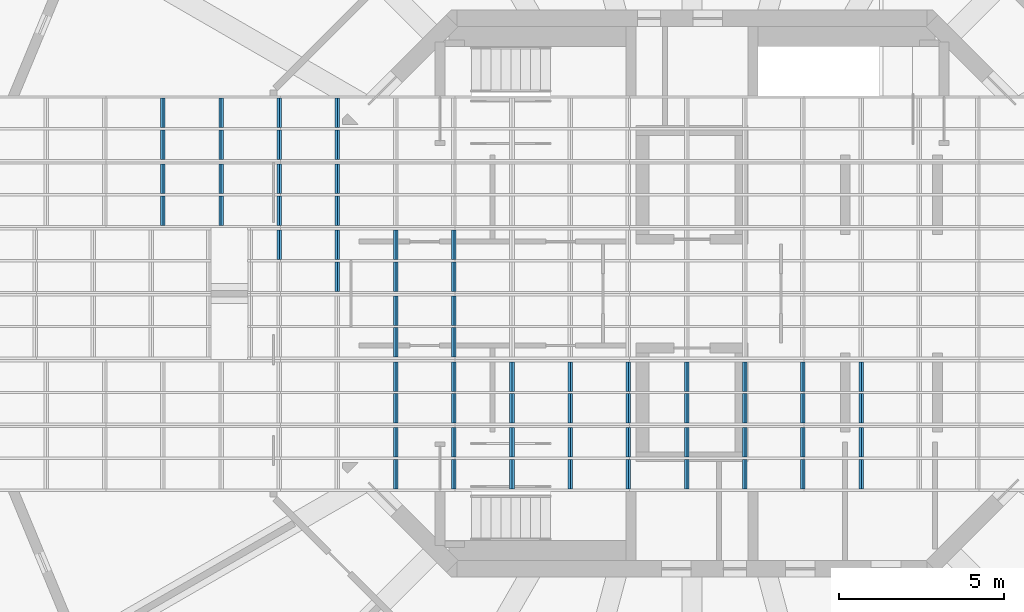
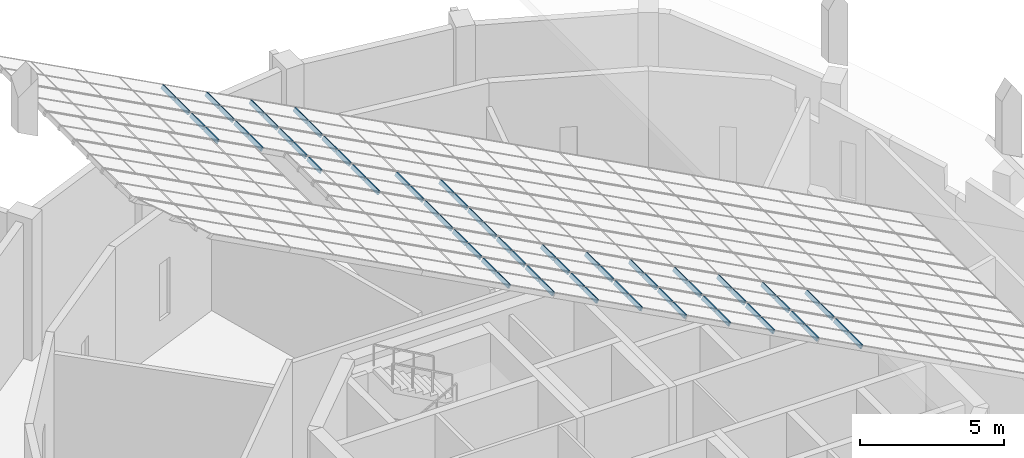
# One storey, part 5 of 19: 63 members, 6 elements without a shape of their own.
"""IFC4 building model written with IfcOpenShell, lengths in metres."""

from ifc_helpers import new_model, si_unit, direction, frame, origin, origin_2d, place, context, subcontext, project, spatial, rectangle, extrude, material, material_profile, profile_set, type_object, element, aggregate, save


model = new_model("IFC4")

# Units and contexts
model_context = context("Model", 3, precision=1e-05, world=origin(), true_north=direction((0.0, 1.0)))
body_context = subcontext(model_context, "Body", "Model", "MODEL_VIEW")
ifc_project = project(units=[si_unit("LENGTHUNIT", "METRE"), si_unit("AREAUNIT", "SQUARE_METRE"), si_unit("VOLUMEUNIT", "CUBIC_METRE"), si_unit("PLANEANGLEUNIT", "RADIAN"), si_unit("MASSUNIT", "GRAM", prefix="KILO")], contexts=[model_context])

# Site, building, storey
site_placement = place(None, origin())
site = spatial("IfcSite", under=ifc_project, at=site_placement, CompositionType="ELEMENT")
building_placement = place(site_placement, origin())
building = spatial("IfcBuilding", under=site, at=building_placement, Name="Torre Triforio", CompositionType="ELEMENT")
storey_placement = place(building_placement, frame((0.0, 0.0, 290.800048828125)))
storey = spatial("IfcBuildingStorey", under=building, at=storey_placement, Name="RF-1", CompositionType="ELEMENT", Elevation=290.800048828125)

# Curtain wall, members
ifc_material_1 = material(Name="Aluminium glazing bars with clear laminated glass", Category="aluminium")
curtain_wall_type = type_object("IfcCurtainWallType", Name="Crown lantern glazing CW4", PredefinedType="NOTDEFINED", material=ifc_material_1)
curtain_wall_1_placement = place(storey_placement, origin())
curtain_wall_1 = element("IfcCurtainWall", 1, at=curtain_wall_1_placement, inside=storey, type_object=curtain_wall_type, Name="Crown lantern run 1", PredefinedType="NOTDEFINED")
ifc_material_2 = material(Name="Anodised aluminium extrusion", Category="aluminium")
ifc_material_profile = material_profile(ifc_material_2, rectangle(XDim=0.070068359375, YDim=0.159912109375, at=origin_2d()), Name="CW4 TRANSOM 70x160")
ifc_profile_set = profile_set([ifc_material_profile], Name="Anodised aluminium extrusion")
member_type = type_object("IfcMemberType", Name="CW4 transom 70 x 160", PredefinedType="USERDEFINED", material=ifc_profile_set)
member_1_placement = place(storey_placement, frame((5.133056640625, -5.929931640625, 10.76513671875), z_axis=(0.0, 1.0, 0.0), x_axis=(-0.882947592859, 0.0, 0.469471562786)))
member_1 = element("IfcMember", 2, at=member_1_placement, type_object=member_type, Name="CW4 transom 1.6.1", ObjectType="TRANSOM", PredefinedType="USERDEFINED", context=body_context, shape_type="SweptSolid", body=[
    extrude(rectangle(XDim=0.070068359375, YDim=0.159912109375, at=origin_2d()), origin(), (0.0, 0.0, 1.0), 0.89501953125),
])
member_2_placement = place(storey_placement, frame((5.133056640625, -4.965087890625, 10.76513671875), z_axis=(0.0, 1.0, 0.0), x_axis=(-0.882947592859, 0.0, 0.469471562786)))
member_2 = element("IfcMember", 3, at=member_2_placement, type_object=member_type, Name="CW4 transom 1.6.2", ObjectType="TRANSOM", PredefinedType="USERDEFINED", context=body_context, shape_type="SweptSolid", body=[
    extrude(rectangle(XDim=0.070068359375, YDim=0.159912109375, at=origin_2d()), origin(), (0.0, 0.0, 1.0), 0.89501953125),
])
member_3_placement = place(storey_placement, frame((3.3671875, -5.929931640625, 11.704345703125), z_axis=(0.0, 1.0, 0.0), x_axis=(-0.882947592859, 0.0, 0.469471562786)))
member_3 = element("IfcMember", 4, at=member_3_placement, type_object=member_type, Name="CW4 transom 1.7.1", ObjectType="TRANSOM", PredefinedType="USERDEFINED", context=body_context, shape_type="SweptSolid", body=[
    extrude(rectangle(XDim=0.070068359375, YDim=0.159912109375, at=origin_2d()), origin(), (0.0, 0.0, 1.0), 0.89501953125),
])
member_4_placement = place(storey_placement, frame((3.3671875, -4.965087890625, 11.704345703125), z_axis=(0.0, 1.0, 0.0), x_axis=(-0.882947592859, 0.0, 0.469471562786)))
member_4 = element("IfcMember", 5, at=member_4_placement, type_object=member_type, Name="CW4 transom 1.7.2", ObjectType="TRANSOM", PredefinedType="USERDEFINED", context=body_context, shape_type="SweptSolid", body=[
    extrude(rectangle(XDim=0.070068359375, YDim=0.159912109375, at=origin_2d()), origin(), (0.0, 0.0, 1.0), 0.89501953125),
])
member_5_placement = place(storey_placement, frame((1.601318359375, -5.929931640625, 12.64306640625), z_axis=(0.0, 1.0, 0.0), x_axis=(-0.882947592859, 0.0, 0.469471562786)))
member_5 = element("IfcMember", 6, at=member_5_placement, type_object=member_type, Name="CW4 transom 1.8.1", ObjectType="TRANSOM", PredefinedType="USERDEFINED", context=body_context, shape_type="SweptSolid", body=[
    extrude(rectangle(XDim=0.070068359375, YDim=0.159912109375, at=origin_2d()), origin(), (0.0, 0.0, 1.0), 0.89501953125),
])
member_6_placement = place(storey_placement, frame((1.601318359375, -4.965087890625, 12.64306640625), z_axis=(0.0, 1.0, 0.0), x_axis=(-0.882947592859, 0.0, 0.469471562786)))
member_6 = element("IfcMember", 7, at=member_6_placement, type_object=member_type, Name="CW4 transom 1.8.2", ObjectType="TRANSOM", PredefinedType="USERDEFINED", context=body_context, shape_type="SweptSolid", body=[
    extrude(rectangle(XDim=0.070068359375, YDim=0.159912109375, at=origin_2d()), origin(), (0.0, 0.0, 1.0), 0.89501953125),
])
member_7_placement = place(storey_placement, frame((-0.164794921875, -5.929931640625, 13.58203125), z_axis=(0.0, 1.0, 0.0), x_axis=(-0.882947592859, 0.0, 0.469471562786)))
member_7 = element("IfcMember", 8, at=member_7_placement, type_object=member_type, Name="CW4 transom 1.9.1", ObjectType="TRANSOM", PredefinedType="USERDEFINED", context=body_context, shape_type="SweptSolid", body=[
    extrude(rectangle(XDim=0.070068359375, YDim=0.159912109375, at=origin_2d()), origin(), (0.0, 0.0, 1.0), 0.89501953125),
])
member_8_placement = place(storey_placement, frame((-0.164794921875, -4.965087890625, 13.58203125), z_axis=(0.0, 1.0, 0.0), x_axis=(-0.882947592859, 0.0, 0.469471562786)))
member_8 = element("IfcMember", 9, at=member_8_placement, type_object=member_type, Name="CW4 transom 1.9.2", ObjectType="TRANSOM", PredefinedType="USERDEFINED", context=body_context, shape_type="SweptSolid", body=[
    extrude(rectangle(XDim=0.070068359375, YDim=0.159912109375, at=origin_2d()), origin(), (0.0, 0.0, 1.0), 0.89501953125),
])
member_9_placement = place(storey_placement, frame((-1.9306640625, -5.929931640625, 14.52099609375), z_axis=(0.0, 1.0, 0.0), x_axis=(-0.882947592859, 0.0, 0.469471562786)))
member_9 = element("IfcMember", 10, at=member_9_placement, type_object=member_type, Name="CW4 transom 1.10.1", ObjectType="TRANSOM", PredefinedType="USERDEFINED", context=body_context, shape_type="SweptSolid", body=[
    extrude(rectangle(XDim=0.070068359375, YDim=0.159912109375, at=origin_2d()), origin(), (0.0, 0.0, 1.0), 0.89501953125),
])
member_10_placement = place(storey_placement, frame((-1.9306640625, -4.965087890625, 14.52099609375), z_axis=(0.0, 1.0, 0.0), x_axis=(-0.882947592859, 0.0, 0.469471562786)))
member_10 = element("IfcMember", 11, at=member_10_placement, type_object=member_type, Name="CW4 transom 1.10.2", ObjectType="TRANSOM", PredefinedType="USERDEFINED", context=body_context, shape_type="SweptSolid", body=[
    extrude(rectangle(XDim=0.070068359375, YDim=0.159912109375, at=origin_2d()), origin(), (0.0, 0.0, 1.0), 0.89501953125),
])
member_11_placement = place(storey_placement, frame((-3.696533203125, -5.929931640625, 15.4599609375), z_axis=(0.0, 1.0, 0.0), x_axis=(-0.882947592859, 0.0, 0.469471562786)))
member_11 = element("IfcMember", 12, at=member_11_placement, type_object=member_type, Name="CW4 transom 1.11.1", ObjectType="TRANSOM", PredefinedType="USERDEFINED", context=body_context, shape_type="SweptSolid", body=[
    extrude(rectangle(XDim=0.070068359375, YDim=0.159912109375, at=origin_2d()), origin(), (0.0, 0.0, 1.0), 0.89501953125),
])
member_12_placement = place(storey_placement, frame((-3.696533203125, -4.965087890625, 15.4599609375), z_axis=(0.0, 1.0, 0.0), x_axis=(-0.882947592859, 0.0, 0.469471562786)))
member_12 = element("IfcMember", 13, at=member_12_placement, type_object=member_type, Name="CW4 transom 1.11.2", ObjectType="TRANSOM", PredefinedType="USERDEFINED", context=body_context, shape_type="SweptSolid", body=[
    extrude(rectangle(XDim=0.070068359375, YDim=0.159912109375, at=origin_2d()), origin(), (0.0, 0.0, 1.0), 0.89501953125),
])
member_13_placement = place(storey_placement, frame((-5.46240234375, -5.929931640625, 16.39892578125), z_axis=(0.0, 1.0, 0.0), x_axis=(-0.882947592859, 0.0, 0.469471562786)))
member_13 = element("IfcMember", 14, at=member_13_placement, type_object=member_type, Name="CW4 transom 1.12.1", ObjectType="TRANSOM", PredefinedType="USERDEFINED", context=body_context, shape_type="SweptSolid", body=[
    extrude(rectangle(XDim=0.070068359375, YDim=0.159912109375, at=origin_2d()), origin(), (0.0, 0.0, 1.0), 0.89501953125),
])
member_14_placement = place(storey_placement, frame((-5.46240234375, -4.965087890625, 16.39892578125), z_axis=(0.0, 1.0, 0.0), x_axis=(-0.882947592859, 0.0, 0.469471562786)))
member_14 = element("IfcMember", 15, at=member_14_placement, type_object=member_type, Name="CW4 transom 1.12.2", ObjectType="TRANSOM", PredefinedType="USERDEFINED", context=body_context, shape_type="SweptSolid", body=[
    extrude(rectangle(XDim=0.070068359375, YDim=0.159912109375, at=origin_2d()), origin(), (0.0, 0.0, 1.0), 0.89501953125),
])
member_15_placement = place(storey_placement, frame((-7.228271484375, -5.929931640625, 17.337890625), z_axis=(0.0, 1.0, 0.0), x_axis=(-0.882947592859, 0.0, 0.469471562786)))
member_15 = element("IfcMember", 16, at=member_15_placement, type_object=member_type, Name="CW4 transom 1.13.1", ObjectType="TRANSOM", PredefinedType="USERDEFINED", context=body_context, shape_type="SweptSolid", body=[
    extrude(rectangle(XDim=0.070068359375, YDim=0.159912109375, at=origin_2d()), origin(), (0.0, 0.0, 1.0), 0.89501953125),
])
member_16_placement = place(storey_placement, frame((-7.228271484375, -4.965087890625, 17.337890625), z_axis=(0.0, 1.0, 0.0), x_axis=(-0.882947592859, 0.0, 0.469471562786)))
member_16 = element("IfcMember", 17, at=member_16_placement, type_object=member_type, Name="CW4 transom 1.13.2", ObjectType="TRANSOM", PredefinedType="USERDEFINED", context=body_context, shape_type="SweptSolid", body=[
    extrude(rectangle(XDim=0.070068359375, YDim=0.159912109375, at=origin_2d()), origin(), (0.0, 0.0, 1.0), 0.89501953125),
])
member_17_placement = place(storey_placement, frame((-8.994140625, -5.929931640625, 18.27685546875), z_axis=(0.0, 1.0, 0.0), x_axis=(-0.882947592859, 0.0, 0.469471562786)))
member_17 = element("IfcMember", 18, at=member_17_placement, type_object=member_type, Name="CW4 transom 1.14.1", ObjectType="TRANSOM", PredefinedType="USERDEFINED", context=body_context, shape_type="SweptSolid", body=[
    extrude(rectangle(XDim=0.070068359375, YDim=0.159912109375, at=origin_2d()), origin(), (0.0, 0.0, 1.0), 0.89501953125),
])
member_18_placement = place(storey_placement, frame((-8.994140625, -4.965087890625, 18.27685546875), z_axis=(0.0, 1.0, 0.0), x_axis=(-0.882947592859, 0.0, 0.469471562786)))
member_18 = element("IfcMember", 19, at=member_18_placement, type_object=member_type, Name="CW4 transom 1.14.2", ObjectType="TRANSOM", PredefinedType="USERDEFINED", context=body_context, shape_type="SweptSolid", body=[
    extrude(rectangle(XDim=0.070068359375, YDim=0.159912109375, at=origin_2d()), origin(), (0.0, 0.0, 1.0), 0.89501953125),
])
aggregate(curtain_wall_1, [member_1, member_2, member_3, member_4, member_5, member_6, member_7, member_8, member_9, member_10, member_11, member_12, member_13, member_14, member_15, member_16, member_17, member_18])

curtain_wall_2_placement = place(storey_placement, origin())
curtain_wall_2 = element("IfcCurtainWall", 20, at=curtain_wall_2_placement, inside=storey, type_object=curtain_wall_type, Name="Crown lantern run 2", PredefinedType="NOTDEFINED")
member_19_placement = place(storey_placement, frame((5.133056640625, -3.929931640625, 10.76513671875), z_axis=(0.0, 1.0, 0.0), x_axis=(-0.882947592859, 0.0, 0.469471562786)))
member_19 = element("IfcMember", 21, at=member_19_placement, type_object=member_type, Name="CW4 transom 2.6.1", ObjectType="TRANSOM", PredefinedType="USERDEFINED", context=body_context, shape_type="SweptSolid", body=[
    extrude(rectangle(XDim=0.070068359375, YDim=0.159912109375, at=origin_2d()), origin(), (0.0, 0.0, 1.0), 0.89501953125),
])
member_20_placement = place(storey_placement, frame((5.133056640625, -2.965087890625, 10.76513671875), z_axis=(0.0, 1.0, 0.0), x_axis=(-0.882947592859, 0.0, 0.469471562786)))
member_20 = element("IfcMember", 22, at=member_20_placement, type_object=member_type, Name="CW4 transom 2.6.2", ObjectType="TRANSOM", PredefinedType="USERDEFINED", context=body_context, shape_type="SweptSolid", body=[
    extrude(rectangle(XDim=0.070068359375, YDim=0.159912109375, at=origin_2d()), origin(), (0.0, 0.0, 1.0), 0.89501953125),
])
member_21_placement = place(storey_placement, frame((3.3671875, -3.929931640625, 11.704345703125), z_axis=(0.0, 1.0, 0.0), x_axis=(-0.882947592859, 0.0, 0.469471562786)))
member_21 = element("IfcMember", 23, at=member_21_placement, type_object=member_type, Name="CW4 transom 2.7.1", ObjectType="TRANSOM", PredefinedType="USERDEFINED", context=body_context, shape_type="SweptSolid", body=[
    extrude(rectangle(XDim=0.070068359375, YDim=0.159912109375, at=origin_2d()), origin(), (0.0, 0.0, 1.0), 0.89501953125),
])
member_22_placement = place(storey_placement, frame((3.3671875, -2.965087890625, 11.704345703125), z_axis=(0.0, 1.0, 0.0), x_axis=(-0.882947592859, 0.0, 0.469471562786)))
member_22 = element("IfcMember", 24, at=member_22_placement, type_object=member_type, Name="CW4 transom 2.7.2", ObjectType="TRANSOM", PredefinedType="USERDEFINED", context=body_context, shape_type="SweptSolid", body=[
    extrude(rectangle(XDim=0.070068359375, YDim=0.159912109375, at=origin_2d()), origin(), (0.0, 0.0, 1.0), 0.89501953125),
])
member_23_placement = place(storey_placement, frame((1.601318359375, -3.929931640625, 12.64306640625), z_axis=(0.0, 1.0, 0.0), x_axis=(-0.882947592859, 0.0, 0.469471562786)))
member_23 = element("IfcMember", 25, at=member_23_placement, type_object=member_type, Name="CW4 transom 2.8.1", ObjectType="TRANSOM", PredefinedType="USERDEFINED", context=body_context, shape_type="SweptSolid", body=[
    extrude(rectangle(XDim=0.070068359375, YDim=0.159912109375, at=origin_2d()), origin(), (0.0, 0.0, 1.0), 0.89501953125),
])
member_24_placement = place(storey_placement, frame((1.601318359375, -2.965087890625, 12.64306640625), z_axis=(0.0, 1.0, 0.0), x_axis=(-0.882947592859, 0.0, 0.469471562786)))
member_24 = element("IfcMember", 26, at=member_24_placement, type_object=member_type, Name="CW4 transom 2.8.2", ObjectType="TRANSOM", PredefinedType="USERDEFINED", context=body_context, shape_type="SweptSolid", body=[
    extrude(rectangle(XDim=0.070068359375, YDim=0.159912109375, at=origin_2d()), origin(), (0.0, 0.0, 1.0), 0.89501953125),
])
member_25_placement = place(storey_placement, frame((-0.164794921875, -3.929931640625, 13.58203125), z_axis=(0.0, 1.0, 0.0), x_axis=(-0.882947592859, 0.0, 0.469471562786)))
member_25 = element("IfcMember", 27, at=member_25_placement, type_object=member_type, Name="CW4 transom 2.9.1", ObjectType="TRANSOM", PredefinedType="USERDEFINED", context=body_context, shape_type="SweptSolid", body=[
    extrude(rectangle(XDim=0.070068359375, YDim=0.159912109375, at=origin_2d()), origin(), (0.0, 0.0, 1.0), 0.89501953125),
])
member_26_placement = place(storey_placement, frame((-0.164794921875, -2.965087890625, 13.58203125), z_axis=(0.0, 1.0, 0.0), x_axis=(-0.882947592859, 0.0, 0.469471562786)))
member_26 = element("IfcMember", 28, at=member_26_placement, type_object=member_type, Name="CW4 transom 2.9.2", ObjectType="TRANSOM", PredefinedType="USERDEFINED", context=body_context, shape_type="SweptSolid", body=[
    extrude(rectangle(XDim=0.070068359375, YDim=0.159912109375, at=origin_2d()), origin(), (0.0, 0.0, 1.0), 0.89501953125),
])
member_27_placement = place(storey_placement, frame((-1.9306640625, -3.929931640625, 14.52099609375), z_axis=(0.0, 1.0, 0.0), x_axis=(-0.882947592859, 0.0, 0.469471562786)))
member_27 = element("IfcMember", 29, at=member_27_placement, type_object=member_type, Name="CW4 transom 2.10.1", ObjectType="TRANSOM", PredefinedType="USERDEFINED", context=body_context, shape_type="SweptSolid", body=[
    extrude(rectangle(XDim=0.070068359375, YDim=0.159912109375, at=origin_2d()), origin(), (0.0, 0.0, 1.0), 0.89501953125),
])
member_28_placement = place(storey_placement, frame((-1.9306640625, -2.965087890625, 14.52099609375), z_axis=(0.0, 1.0, 0.0), x_axis=(-0.882947592859, 0.0, 0.469471562786)))
member_28 = element("IfcMember", 30, at=member_28_placement, type_object=member_type, Name="CW4 transom 2.10.2", ObjectType="TRANSOM", PredefinedType="USERDEFINED", context=body_context, shape_type="SweptSolid", body=[
    extrude(rectangle(XDim=0.070068359375, YDim=0.159912109375, at=origin_2d()), origin(), (0.0, 0.0, 1.0), 0.89501953125),
])
member_29_placement = place(storey_placement, frame((-3.696533203125, -3.929931640625, 15.4599609375), z_axis=(0.0, 1.0, 0.0), x_axis=(-0.882947592859, 0.0, 0.469471562786)))
member_29 = element("IfcMember", 31, at=member_29_placement, type_object=member_type, Name="CW4 transom 2.11.1", ObjectType="TRANSOM", PredefinedType="USERDEFINED", context=body_context, shape_type="SweptSolid", body=[
    extrude(rectangle(XDim=0.070068359375, YDim=0.159912109375, at=origin_2d()), origin(), (0.0, 0.0, 1.0), 0.89501953125),
])
member_30_placement = place(storey_placement, frame((-3.696533203125, -2.965087890625, 15.4599609375), z_axis=(0.0, 1.0, 0.0), x_axis=(-0.882947592859, 0.0, 0.469471562786)))
member_30 = element("IfcMember", 32, at=member_30_placement, type_object=member_type, Name="CW4 transom 2.11.2", ObjectType="TRANSOM", PredefinedType="USERDEFINED", context=body_context, shape_type="SweptSolid", body=[
    extrude(rectangle(XDim=0.070068359375, YDim=0.159912109375, at=origin_2d()), origin(), (0.0, 0.0, 1.0), 0.89501953125),
])
member_31_placement = place(storey_placement, frame((-5.46240234375, -3.929931640625, 16.39892578125), z_axis=(0.0, 1.0, 0.0), x_axis=(-0.882947592859, 0.0, 0.469471562786)))
member_31 = element("IfcMember", 33, at=member_31_placement, type_object=member_type, Name="CW4 transom 2.12.1", ObjectType="TRANSOM", PredefinedType="USERDEFINED", context=body_context, shape_type="SweptSolid", body=[
    extrude(rectangle(XDim=0.070068359375, YDim=0.159912109375, at=origin_2d()), origin(), (0.0, 0.0, 1.0), 0.89501953125),
])
member_32_placement = place(storey_placement, frame((-5.46240234375, -2.965087890625, 16.39892578125), z_axis=(0.0, 1.0, 0.0), x_axis=(-0.882947592859, 0.0, 0.469471562786)))
member_32 = element("IfcMember", 34, at=member_32_placement, type_object=member_type, Name="CW4 transom 2.12.2", ObjectType="TRANSOM", PredefinedType="USERDEFINED", context=body_context, shape_type="SweptSolid", body=[
    extrude(rectangle(XDim=0.070068359375, YDim=0.159912109375, at=origin_2d()), origin(), (0.0, 0.0, 1.0), 0.89501953125),
])
member_33_placement = place(storey_placement, frame((-7.228271484375, -3.929931640625, 17.337890625), z_axis=(0.0, 1.0, 0.0), x_axis=(-0.882947592859, 0.0, 0.469471562786)))
member_33 = element("IfcMember", 35, at=member_33_placement, type_object=member_type, Name="CW4 transom 2.13.1", ObjectType="TRANSOM", PredefinedType="USERDEFINED", context=body_context, shape_type="SweptSolid", body=[
    extrude(rectangle(XDim=0.070068359375, YDim=0.159912109375, at=origin_2d()), origin(), (0.0, 0.0, 1.0), 0.89501953125),
])
member_34_placement = place(storey_placement, frame((-7.228271484375, -2.965087890625, 17.337890625), z_axis=(0.0, 1.0, 0.0), x_axis=(-0.882947592859, 0.0, 0.469471562786)))
member_34 = element("IfcMember", 36, at=member_34_placement, type_object=member_type, Name="CW4 transom 2.13.2", ObjectType="TRANSOM", PredefinedType="USERDEFINED", context=body_context, shape_type="SweptSolid", body=[
    extrude(rectangle(XDim=0.070068359375, YDim=0.159912109375, at=origin_2d()), origin(), (0.0, 0.0, 1.0), 0.89501953125),
])
member_35_placement = place(storey_placement, frame((-8.994140625, -3.929931640625, 18.27685546875), z_axis=(0.0, 1.0, 0.0), x_axis=(-0.882947592859, 0.0, 0.469471562786)))
member_35 = element("IfcMember", 37, at=member_35_placement, type_object=member_type, Name="CW4 transom 2.14.1", ObjectType="TRANSOM", PredefinedType="USERDEFINED", context=body_context, shape_type="SweptSolid", body=[
    extrude(rectangle(XDim=0.070068359375, YDim=0.159912109375, at=origin_2d()), origin(), (0.0, 0.0, 1.0), 0.89501953125),
])
member_36_placement = place(storey_placement, frame((-8.994140625, -2.965087890625, 18.27685546875), z_axis=(0.0, 1.0, 0.0), x_axis=(-0.882947592859, 0.0, 0.469471562786)))
member_36 = element("IfcMember", 38, at=member_36_placement, type_object=member_type, Name="CW4 transom 2.14.2", ObjectType="TRANSOM", PredefinedType="USERDEFINED", context=body_context, shape_type="SweptSolid", body=[
    extrude(rectangle(XDim=0.070068359375, YDim=0.159912109375, at=origin_2d()), origin(), (0.0, 0.0, 1.0), 0.89501953125),
])
aggregate(curtain_wall_2, [member_19, member_20, member_21, member_22, member_23, member_24, member_25, member_26, member_27, member_28, member_29, member_30, member_31, member_32, member_33, member_34, member_35, member_36])

curtain_wall_3_placement = place(storey_placement, origin())
curtain_wall_3 = element("IfcCurtainWall", 39, at=curtain_wall_3_placement, inside=storey, type_object=curtain_wall_type, Name="Crown lantern run 3", PredefinedType="NOTDEFINED")
member_37_placement = place(storey_placement, frame((-7.228271484375, -1.929931640625, 17.337890625), z_axis=(0.0, 1.0, 0.0), x_axis=(-0.882947592859, 0.0, 0.469471562786)))
member_37 = element("IfcMember", 40, at=member_37_placement, type_object=member_type, Name="CW4 transom 3.13.1", ObjectType="TRANSOM", PredefinedType="USERDEFINED", context=body_context, shape_type="SweptSolid", body=[
    extrude(rectangle(XDim=0.070068359375, YDim=0.159912109375, at=origin_2d()), origin(), (0.0, 0.0, 1.0), 0.89501953125),
])
member_38_placement = place(storey_placement, frame((-7.228271484375, -0.965087890625, 17.337890625), z_axis=(0.0, 1.0, 0.0), x_axis=(-0.882947592859, 0.0, 0.469471562786)))
member_38 = element("IfcMember", 41, at=member_38_placement, type_object=member_type, Name="CW4 transom 3.13.2", ObjectType="TRANSOM", PredefinedType="USERDEFINED", context=body_context, shape_type="SweptSolid", body=[
    extrude(rectangle(XDim=0.070068359375, YDim=0.159912109375, at=origin_2d()), origin(), (0.0, 0.0, 1.0), 0.89501953125),
])
member_39_placement = place(storey_placement, frame((-8.994140625, -1.929931640625, 18.27685546875), z_axis=(0.0, 1.0, 0.0), x_axis=(-0.882947592859, 0.0, 0.469471562786)))
member_39 = element("IfcMember", 42, at=member_39_placement, type_object=member_type, Name="CW4 transom 3.14.1", ObjectType="TRANSOM", PredefinedType="USERDEFINED", context=body_context, shape_type="SweptSolid", body=[
    extrude(rectangle(XDim=0.070068359375, YDim=0.159912109375, at=origin_2d()), origin(), (0.0, 0.0, 1.0), 0.89501953125),
])
member_40_placement = place(storey_placement, frame((-8.994140625, -0.965087890625, 18.27685546875), z_axis=(0.0, 1.0, 0.0), x_axis=(-0.882947592859, 0.0, 0.469471562786)))
member_40 = element("IfcMember", 43, at=member_40_placement, type_object=member_type, Name="CW4 transom 3.14.2", ObjectType="TRANSOM", PredefinedType="USERDEFINED", context=body_context, shape_type="SweptSolid", body=[
    extrude(rectangle(XDim=0.070068359375, YDim=0.159912109375, at=origin_2d()), origin(), (0.0, 0.0, 1.0), 0.89501953125),
])
aggregate(curtain_wall_3, [member_37, member_38, member_39, member_40])

curtain_wall_4_placement = place(storey_placement, origin())
curtain_wall_4 = element("IfcCurtainWall", 44, at=curtain_wall_4_placement, inside=storey, type_object=curtain_wall_type, Name="Crown lantern run 5", PredefinedType="NOTDEFINED")
member_41_placement = place(storey_placement, frame((-7.228271484375, 0.070068359375, 17.337890625), z_axis=(0.0, 1.0, 0.0), x_axis=(-0.882947592859, 0.0, 0.469471562786)))
member_41 = element("IfcMember", 45, at=member_41_placement, type_object=member_type, Name="CW4 transom 5.13.1", ObjectType="TRANSOM", PredefinedType="USERDEFINED", context=body_context, shape_type="SweptSolid", body=[
    extrude(rectangle(XDim=0.070068359375, YDim=0.159912109375, at=origin_2d()), origin(), (0.0, 0.0, 1.0), 0.89501953125),
])
member_42_placement = place(storey_placement, frame((-7.228271484375, 1.034912109375, 17.337890625), z_axis=(0.0, 1.0, 0.0), x_axis=(-0.882947592859, 0.0, 0.469471562786)))
member_42 = element("IfcMember", 46, at=member_42_placement, type_object=member_type, Name="CW4 transom 5.13.2", ObjectType="TRANSOM", PredefinedType="USERDEFINED", context=body_context, shape_type="SweptSolid", body=[
    extrude(rectangle(XDim=0.070068359375, YDim=0.159912109375, at=origin_2d()), origin(), (0.0, 0.0, 1.0), 0.89501953125),
])
member_43_placement = place(storey_placement, frame((-8.994140625, 0.070068359375, 18.27685546875), z_axis=(0.0, 1.0, 0.0), x_axis=(-0.882947592859, 0.0, 0.469471562786)))
member_43 = element("IfcMember", 47, at=member_43_placement, type_object=member_type, Name="CW4 transom 5.14.1", ObjectType="TRANSOM", PredefinedType="USERDEFINED", context=body_context, shape_type="SweptSolid", body=[
    extrude(rectangle(XDim=0.070068359375, YDim=0.159912109375, at=origin_2d()), origin(), (0.0, 0.0, 1.0), 0.89501953125),
])
member_44_placement = place(storey_placement, frame((-8.994140625, 1.034912109375, 18.27685546875), z_axis=(0.0, 1.0, 0.0), x_axis=(-0.882947592859, 0.0, 0.469471562786)))
member_44 = element("IfcMember", 48, at=member_44_placement, type_object=member_type, Name="CW4 transom 5.14.2", ObjectType="TRANSOM", PredefinedType="USERDEFINED", context=body_context, shape_type="SweptSolid", body=[
    extrude(rectangle(XDim=0.070068359375, YDim=0.159912109375, at=origin_2d()), origin(), (0.0, 0.0, 1.0), 0.89501953125),
])
member_45_placement = place(storey_placement, frame((-10.760009765625, 0.070068359375, 19.2158203125), z_axis=(0.0, 1.0, 0.0), x_axis=(-0.882947592859, 0.0, 0.469471562786)))
member_45 = element("IfcMember", 49, at=member_45_placement, type_object=member_type, Name="CW4 transom 5.15.1", ObjectType="TRANSOM", PredefinedType="USERDEFINED", context=body_context, shape_type="SweptSolid", body=[
    extrude(rectangle(XDim=0.070068359375, YDim=0.159912109375, at=origin_2d()), origin(), (0.0, 0.0, 1.0), 0.89501953125),
])
member_46_placement = place(storey_placement, frame((-10.760009765625, 1.034912109375, 19.2158203125), z_axis=(0.0, 1.0, 0.0), x_axis=(-0.882947592859, 0.0, 0.469471562786)))
member_46 = element("IfcMember", 50, at=member_46_placement, type_object=member_type, Name="CW4 transom 5.15.2", ObjectType="TRANSOM", PredefinedType="USERDEFINED", context=body_context, shape_type="SweptSolid", body=[
    extrude(rectangle(XDim=0.070068359375, YDim=0.159912109375, at=origin_2d()), origin(), (0.0, 0.0, 1.0), 0.89501953125),
])
member_47_placement = place(storey_placement, frame((-12.52587890625, 1.034912109375, 20.15478515625), z_axis=(0.0, 1.0, 0.0), x_axis=(-0.882947592859, 0.0, 0.469471562786)))
member_47 = element("IfcMember", 51, at=member_47_placement, type_object=member_type, Name="CW4 transom 5.16.2", ObjectType="TRANSOM", PredefinedType="USERDEFINED", context=body_context, shape_type="SweptSolid", body=[
    extrude(rectangle(XDim=0.070068359375, YDim=0.159912109375, at=origin_2d()), origin(), (0.0, 0.0, 1.0), 0.89501953125),
])
aggregate(curtain_wall_4, [member_41, member_42, member_43, member_44, member_45, member_46, member_47])

curtain_wall_5_placement = place(storey_placement, origin())
curtain_wall_5 = element("IfcCurtainWall", 52, at=curtain_wall_5_placement, inside=storey, type_object=curtain_wall_type, Name="Crown lantern run 7", PredefinedType="NOTDEFINED")
member_48_placement = place(storey_placement, frame((-10.760009765625, 2.070068359375, 19.2158203125), z_axis=(0.0, 1.0, 0.0), x_axis=(-0.882947592859, 0.0, 0.469471562786)))
member_48 = element("IfcMember", 53, at=member_48_placement, type_object=member_type, Name="CW4 transom 7.15.1", ObjectType="TRANSOM", PredefinedType="USERDEFINED", context=body_context, shape_type="SweptSolid", body=[
    extrude(rectangle(XDim=0.070068359375, YDim=0.159912109375, at=origin_2d()), origin(), (0.0, 0.0, 1.0), 0.89501953125),
])
member_49_placement = place(storey_placement, frame((-10.760009765625, 3.034912109375, 19.2158203125), z_axis=(0.0, 1.0, 0.0), x_axis=(-0.882947592859, 0.0, 0.469471562786)))
member_49 = element("IfcMember", 54, at=member_49_placement, type_object=member_type, Name="CW4 transom 7.15.2", ObjectType="TRANSOM", PredefinedType="USERDEFINED", context=body_context, shape_type="SweptSolid", body=[
    extrude(rectangle(XDim=0.070068359375, YDim=0.159912109375, at=origin_2d()), origin(), (0.0, 0.0, 1.0), 0.89501953125),
])
member_50_placement = place(storey_placement, frame((-12.52587890625, 2.070068359375, 20.15478515625), z_axis=(0.0, 1.0, 0.0), x_axis=(-0.882947592859, 0.0, 0.469471562786)))
member_50 = element("IfcMember", 55, at=member_50_placement, type_object=member_type, Name="CW4 transom 7.16.1", ObjectType="TRANSOM", PredefinedType="USERDEFINED", context=body_context, shape_type="SweptSolid", body=[
    extrude(rectangle(XDim=0.070068359375, YDim=0.159912109375, at=origin_2d()), origin(), (0.0, 0.0, 1.0), 0.89501953125),
])
member_51_placement = place(storey_placement, frame((-12.52587890625, 3.034912109375, 20.15478515625), z_axis=(0.0, 1.0, 0.0), x_axis=(-0.882947592859, 0.0, 0.469471562786)))
member_51 = element("IfcMember", 56, at=member_51_placement, type_object=member_type, Name="CW4 transom 7.16.2", ObjectType="TRANSOM", PredefinedType="USERDEFINED", context=body_context, shape_type="SweptSolid", body=[
    extrude(rectangle(XDim=0.070068359375, YDim=0.159912109375, at=origin_2d()), origin(), (0.0, 0.0, 1.0), 0.89501953125),
])
member_52_placement = place(storey_placement, frame((-14.2919921875, 2.070068359375, 21.09375), z_axis=(0.0, 1.0, 0.0), x_axis=(-0.882947592859, 0.0, 0.469471562786)))
member_52 = element("IfcMember", 57, at=member_52_placement, type_object=member_type, Name="CW4 transom 7.17.1", ObjectType="TRANSOM", PredefinedType="USERDEFINED", context=body_context, shape_type="SweptSolid", body=[
    extrude(rectangle(XDim=0.070068359375, YDim=0.159912109375, at=origin_2d()), origin(), (0.0, 0.0, 1.0), 0.89501953125),
])
member_53_placement = place(storey_placement, frame((-14.2919921875, 3.034912109375, 21.09375), z_axis=(0.0, 1.0, 0.0), x_axis=(-0.882947592859, 0.0, 0.469471562786)))
member_53 = element("IfcMember", 58, at=member_53_placement, type_object=member_type, Name="CW4 transom 7.17.2", ObjectType="TRANSOM", PredefinedType="USERDEFINED", context=body_context, shape_type="SweptSolid", body=[
    extrude(rectangle(XDim=0.070068359375, YDim=0.159912109375, at=origin_2d()), origin(), (0.0, 0.0, 1.0), 0.89501953125),
])
member_54_placement = place(storey_placement, frame((-16.057861328125, 2.070068359375, 22.032470703125), z_axis=(0.0, 1.0, 0.0), x_axis=(-0.882947592859, 0.0, 0.469471562786)))
member_54 = element("IfcMember", 59, at=member_54_placement, type_object=member_type, Name="CW4 transom 7.18.1", ObjectType="TRANSOM", PredefinedType="USERDEFINED", context=body_context, shape_type="SweptSolid", body=[
    extrude(rectangle(XDim=0.070068359375, YDim=0.159912109375, at=origin_2d()), origin(), (0.0, 0.0, 1.0), 0.89501953125),
])
member_55_placement = place(storey_placement, frame((-16.057861328125, 3.034912109375, 22.032470703125), z_axis=(0.0, 1.0, 0.0), x_axis=(-0.882947592859, 0.0, 0.469471562786)))
member_55 = element("IfcMember", 60, at=member_55_placement, type_object=member_type, Name="CW4 transom 7.18.2", ObjectType="TRANSOM", PredefinedType="USERDEFINED", context=body_context, shape_type="SweptSolid", body=[
    extrude(rectangle(XDim=0.070068359375, YDim=0.159912109375, at=origin_2d()), origin(), (0.0, 0.0, 1.0), 0.89501953125),
])
aggregate(curtain_wall_5, [member_48, member_49, member_50, member_51, member_52, member_53, member_54, member_55])

curtain_wall_6_placement = place(storey_placement, origin())
curtain_wall_6 = element("IfcCurtainWall", 61, at=curtain_wall_6_placement, inside=storey, type_object=curtain_wall_type, Name="Crown lantern run 8", PredefinedType="NOTDEFINED")
member_56_placement = place(storey_placement, frame((-10.760009765625, 4.070068359375, 19.2158203125), z_axis=(0.0, 1.0, 0.0), x_axis=(-0.882947592859, 0.0, 0.469471562786)))
member_56 = element("IfcMember", 62, at=member_56_placement, type_object=member_type, Name="CW4 transom 8.15.1", ObjectType="TRANSOM", PredefinedType="USERDEFINED", context=body_context, shape_type="SweptSolid", body=[
    extrude(rectangle(XDim=0.070068359375, YDim=0.159912109375, at=origin_2d()), origin(), (0.0, 0.0, 1.0), 0.89501953125),
])
member_57_placement = place(storey_placement, frame((-10.760009765625, 5.034912109375, 19.2158203125), z_axis=(0.0, 1.0, 0.0), x_axis=(-0.882947592859, 0.0, 0.469471562786)))
member_57 = element("IfcMember", 63, at=member_57_placement, type_object=member_type, Name="CW4 transom 8.15.2", ObjectType="TRANSOM", PredefinedType="USERDEFINED", context=body_context, shape_type="SweptSolid", body=[
    extrude(rectangle(XDim=0.070068359375, YDim=0.159912109375, at=origin_2d()), origin(), (0.0, 0.0, 1.0), 0.89501953125),
])
member_58_placement = place(storey_placement, frame((-12.52587890625, 4.070068359375, 20.15478515625), z_axis=(0.0, 1.0, 0.0), x_axis=(-0.882947592859, 0.0, 0.469471562786)))
member_58 = element("IfcMember", 64, at=member_58_placement, type_object=member_type, Name="CW4 transom 8.16.1", ObjectType="TRANSOM", PredefinedType="USERDEFINED", context=body_context, shape_type="SweptSolid", body=[
    extrude(rectangle(XDim=0.070068359375, YDim=0.159912109375, at=origin_2d()), origin(), (0.0, 0.0, 1.0), 0.89501953125),
])
member_59_placement = place(storey_placement, frame((-12.52587890625, 5.034912109375, 20.15478515625), z_axis=(0.0, 1.0, 0.0), x_axis=(-0.882947592859, 0.0, 0.469471562786)))
member_59 = element("IfcMember", 65, at=member_59_placement, type_object=member_type, Name="CW4 transom 8.16.2", ObjectType="TRANSOM", PredefinedType="USERDEFINED", context=body_context, shape_type="SweptSolid", body=[
    extrude(rectangle(XDim=0.070068359375, YDim=0.159912109375, at=origin_2d()), origin(), (0.0, 0.0, 1.0), 0.89501953125),
])
member_60_placement = place(storey_placement, frame((-14.2919921875, 4.070068359375, 21.09375), z_axis=(0.0, 1.0, 0.0), x_axis=(-0.882947592859, 0.0, 0.469471562786)))
member_60 = element("IfcMember", 66, at=member_60_placement, type_object=member_type, Name="CW4 transom 8.17.1", ObjectType="TRANSOM", PredefinedType="USERDEFINED", context=body_context, shape_type="SweptSolid", body=[
    extrude(rectangle(XDim=0.070068359375, YDim=0.159912109375, at=origin_2d()), origin(), (0.0, 0.0, 1.0), 0.89501953125),
])
member_61_placement = place(storey_placement, frame((-14.2919921875, 5.034912109375, 21.09375), z_axis=(0.0, 1.0, 0.0), x_axis=(-0.882947592859, 0.0, 0.469471562786)))
member_61 = element("IfcMember", 67, at=member_61_placement, type_object=member_type, Name="CW4 transom 8.17.2", ObjectType="TRANSOM", PredefinedType="USERDEFINED", context=body_context, shape_type="SweptSolid", body=[
    extrude(rectangle(XDim=0.070068359375, YDim=0.159912109375, at=origin_2d()), origin(), (0.0, 0.0, 1.0), 0.89501953125),
])
member_62_placement = place(storey_placement, frame((-16.057861328125, 4.070068359375, 22.032470703125), z_axis=(0.0, 1.0, 0.0), x_axis=(-0.882947592859, 0.0, 0.469471562786)))
member_62 = element("IfcMember", 68, at=member_62_placement, type_object=member_type, Name="CW4 transom 8.18.1", ObjectType="TRANSOM", PredefinedType="USERDEFINED", context=body_context, shape_type="SweptSolid", body=[
    extrude(rectangle(XDim=0.070068359375, YDim=0.159912109375, at=origin_2d()), origin(), (0.0, 0.0, 1.0), 0.89501953125),
])
member_63_placement = place(storey_placement, frame((-16.057861328125, 5.034912109375, 22.032470703125), z_axis=(0.0, 1.0, 0.0), x_axis=(-0.882947592859, 0.0, 0.469471562786)))
member_63 = element("IfcMember", 69, at=member_63_placement, type_object=member_type, Name="CW4 transom 8.18.2", ObjectType="TRANSOM", PredefinedType="USERDEFINED", context=body_context, shape_type="SweptSolid", body=[
    extrude(rectangle(XDim=0.070068359375, YDim=0.159912109375, at=origin_2d()), origin(), (0.0, 0.0, 1.0), 0.89501953125),
])
aggregate(curtain_wall_6, [member_56, member_57, member_58, member_59, member_60, member_61, member_62, member_63])

save(model, "model.ifc")
